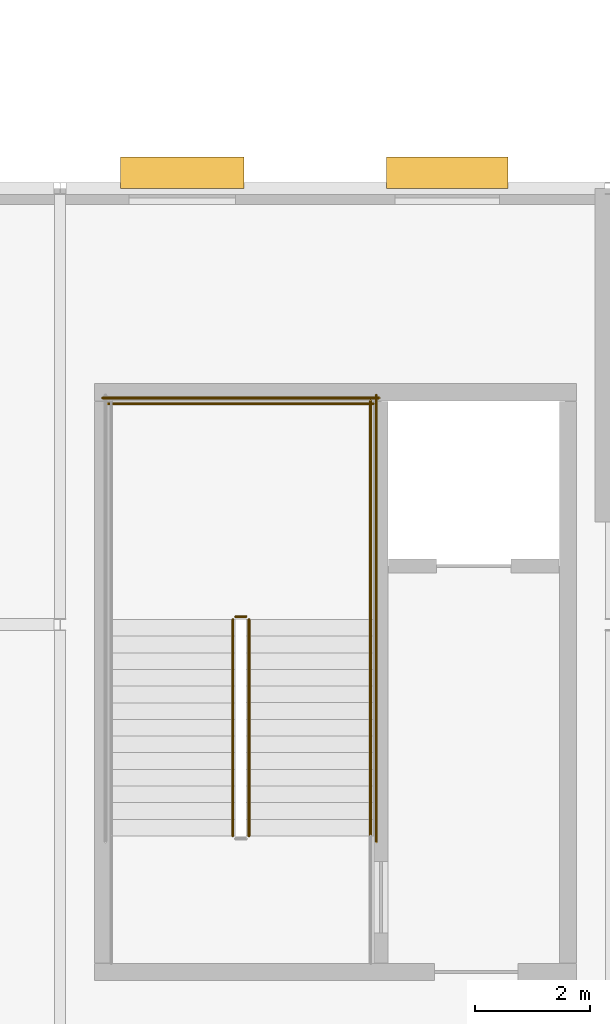
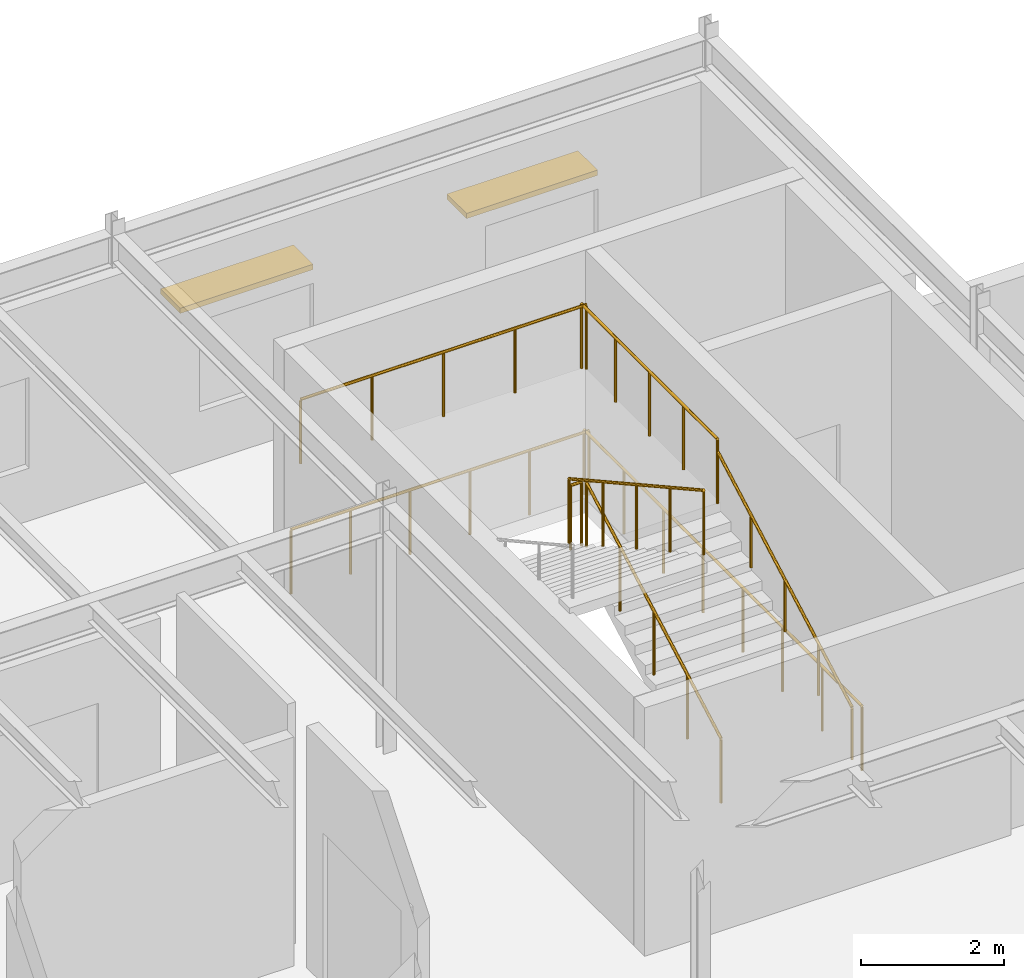
# One storey, part 49 of 50: 8 railings, 2 shading devices.
"""IFC4 building model written with IfcOpenShell, lengths in metres."""

from ifc_helpers import new_model, si_unit, direction, frame, origin, origin_2d, place, context, subcontext, project, spatial, rectangle, circle, extrude, material, layer, layer_set, type_object, element, save


model = new_model("IFC4")

# Units and contexts
model_context = context("Model", 3, precision=1e-05, world=origin(), true_north=direction((0.0, 1.0)))
body_context = subcontext(model_context, "Body", "Model", "MODEL_VIEW")
ifc_project = project(units=[si_unit("LENGTHUNIT", "METRE"), si_unit("AREAUNIT", "SQUARE_METRE"), si_unit("VOLUMEUNIT", "CUBIC_METRE"), si_unit("PLANEANGLEUNIT", "RADIAN"), si_unit("MASSUNIT", "GRAM", prefix="KILO")], contexts=[model_context])

# Site, building, storey
site_placement = place(None, origin())
site = spatial("IfcSite", under=ifc_project, at=site_placement, CompositionType="ELEMENT")
building_placement = place(site_placement, origin())
building = spatial("IfcBuilding", under=site, at=building_placement, Name="Sarnbrook Museum", CompositionType="ELEMENT")
storey_placement = place(building_placement, frame((0.0, 0.0, 28.10009765625)))
storey = spatial("IfcBuildingStorey", under=building, at=storey_placement, Name="L05", CompositionType="ELEMENT", Elevation=28.10009765625)

# Shading devices
ifc_material_1 = material(Name="Patinated Architectural Bronze")
shading_device_type = type_object("IfcShadingDeviceType", Name="BriseSoleil_Horizontal", PredefinedType="SHUTTER", material=ifc_material_1)
shading_device_1_placement = place(storey_placement, frame((116.343994140625, 108.669921875, 2.46484375), z_axis=(0.0, 0.0, 1.0), x_axis=(1.0, 0.0, 0.0)))
element("IfcShadingDevice", 1, at=shading_device_1_placement, inside=storey, type_object=shading_device_type, Name="Horizontal Bronze Brise-Soleil BS-037", PredefinedType="SHUTTER", context=body_context, shape_type="SweptSolid", body=[
    extrude(rectangle(XDim=2.1201171875, YDim=0.550048828125, at=origin_2d()), origin(), (0.0, 0.0, 1.0), 0.090087890625),
])
shading_device_2_placement = place(storey_placement, frame((111.72900390625, 108.669921875, 2.46484375), z_axis=(0.0, 0.0, 1.0), x_axis=(1.0, 0.0, 0.0)))
element("IfcShadingDevice", 2, at=shading_device_2_placement, inside=storey, type_object=shading_device_type, Name="Horizontal Bronze Brise-Soleil BS-038", PredefinedType="SHUTTER", context=body_context, shape_type="SweptSolid", body=[
    extrude(rectangle(XDim=2.14990234375, YDim=0.550048828125, at=origin_2d()), origin(), (0.0, 0.0, 1.0), 0.090087890625),
])

# Railings
ifc_material_2 = material(Name="Brushed Stainless Steel Grade 316", Category="steel")
ifc_layer_1 = layer(ifc_material_2, 0.050048828125)
ifc_layer_set_1 = layer_set([ifc_layer_1], Name="Brushed Stainless Steel Grade 316")
railing_type_1 = type_object("IfcRailingType", Name="Guard_Int1120", PredefinedType="BALUSTRADE", material=ifc_layer_set_1)
railing_1_placement = place(storey_placement, frame((112.889892578125, 97.1201171875, 0.16064453125)))
element("IfcRailing", 3, at=railing_1_placement, inside=storey, type_object=railing_type_1, Name="L05 ST2 stair guard 1", PredefinedType="BALUSTRADE", context=body_context, shape_type="SweptSolid", body=[
    extrude(circle(Radius=0.02392578125, at=origin_2d()), frame((0.0, 0.0, 1.09619140625), z_axis=(0.0, 0.874645791573, 0.484762559697), x_axis=(-1.0, 0.0, 0.0)), (0.0, 0.0, 1.0), 4.31005859375),
    extrude(circle(Radius=0.02099609375, at=origin_2d()), origin(), (0.0, 0.0, 1.0), 1.072021484375),
    extrude(circle(Radius=0.02099609375, at=origin_2d()), frame((0.0, 0.9423828125, 0.5224609375)), (0.0, 0.0, 1.0), 1.072021484375),
    extrude(circle(Radius=0.02099609375, at=origin_2d()), frame((0.0, 1.884765625, 1.044677734375)), (0.0, 0.0, 1.0), 1.072021484375),
    extrude(circle(Radius=0.02099609375, at=origin_2d()), frame((0.0, 2.827392578125, 1.56689453125)), (0.0, 0.0, 1.0), 1.072021484375),
    extrude(circle(Radius=0.02099609375, at=origin_2d()), frame((0.0, 3.769775390625, 2.08935546875)), (0.0, 0.0, 1.0), 1.072021484375),
])
railing_2_placement = place(storey_placement, frame((112.840087890625, 100.93994140625, 2.25)))
element("IfcRailing", 4, at=railing_2_placement, inside=storey, type_object=railing_type_1, Name="L05 ST2 stair guard 2", PredefinedType="BALUSTRADE", context=body_context, shape_type="SweptSolid", body=[
    extrude(circle(Radius=0.02392578125, at=origin_2d()), frame((0.0, 0.0, 1.09619140625), z_axis=(-1.0, 0.0, 0.0), x_axis=(0.0, -1.0, 0.0)), (0.0, 0.0, 1.0), 0.18017578125),
    extrude(circle(Radius=0.02099609375, at=origin_2d()), origin(), (0.0, 0.0, 1.0), 1.072021484375),
    extrude(circle(Radius=0.02099609375, at=origin_2d()), frame((-0.18017578125, 0.0, 0.0)), (0.0, 0.0, 1.0), 1.072021484375),
])
railing_3_placement = place(storey_placement, frame((115.010009765625, 100.889892578125, 2.25)))
element("IfcRailing", 5, at=railing_3_placement, inside=storey, type_object=railing_type_1, Name="L05 ST2 stair guard 3", PredefinedType="BALUSTRADE", context=body_context, shape_type="SweptSolid", body=[
    extrude(circle(Radius=0.02392578125, at=origin_2d()), frame((0.0, 0.0, 1.09619140625), z_axis=(0.0, 1.0, 0.0), x_axis=(-1.0, 0.0, 0.0)), (0.0, 0.0, 1.0), 3.81005859375),
    extrude(circle(Radius=0.02099609375, at=origin_2d()), origin(), (0.0, 0.0, 1.0), 1.072021484375),
    extrude(circle(Radius=0.02099609375, at=origin_2d()), frame((0.0, 0.95263671875, 0.0)), (0.0, 0.0, 1.0), 1.072021484375),
    extrude(circle(Radius=0.02099609375, at=origin_2d()), frame((0.0, 1.905029296875, 0.0)), (0.0, 0.0, 1.0), 1.072021484375),
    extrude(circle(Radius=0.02099609375, at=origin_2d()), frame((0.0, 2.857421875, 0.0)), (0.0, 0.0, 1.0), 1.072021484375),
    extrude(circle(Radius=0.02099609375, at=origin_2d()), frame((0.0, 3.81005859375, 0.0)), (0.0, 0.0, 1.0), 1.072021484375),
])
railing_4_placement = place(storey_placement, frame((115.06005859375, 104.64990234375, 2.25)))
element("IfcRailing", 6, at=railing_4_placement, inside=storey, type_object=railing_type_1, Name="L05 ST2 stair guard 5", PredefinedType="BALUSTRADE", context=body_context, shape_type="SweptSolid", body=[
    extrude(circle(Radius=0.02392578125, at=origin_2d()), frame((0.0, 0.0, 1.09619140625), z_axis=(-1.0, 0.0, 0.0), x_axis=(0.0, -1.0, 0.0)), (0.0, 0.0, 1.0), 4.6201171875),
    extrude(circle(Radius=0.02099609375, at=origin_2d()), origin(), (0.0, 0.0, 1.0), 1.072021484375),
    extrude(circle(Radius=0.02099609375, at=origin_2d()), frame((-1.155029296875, 0.0, 0.0)), (0.0, 0.0, 1.0), 1.072021484375),
    extrude(circle(Radius=0.02099609375, at=origin_2d()), frame((-2.31005859375, 0.0, 0.0)), (0.0, 0.0, 1.0), 1.072021484375),
    extrude(circle(Radius=0.02099609375, at=origin_2d()), frame((-3.465087890625, 0.0, 0.0)), (0.0, 0.0, 1.0), 1.072021484375),
    extrude(circle(Radius=0.02099609375, at=origin_2d()), frame((-4.6201171875, 0.0, 0.0)), (0.0, 0.0, 1.0), 1.072021484375),
])
railing_5_placement = place(storey_placement, frame((112.610107421875, 100.889892578125, 2.41064453125)))
element("IfcRailing", 7, at=railing_5_placement, inside=storey, type_object=railing_type_1, Name="L05 ST2 stair guard 6", PredefinedType="BALUSTRADE", context=body_context, shape_type="SweptSolid", body=[
    extrude(circle(Radius=0.02392578125, at=origin_2d()), frame((0.0, 0.0, 1.09619140625), z_axis=(0.0, -0.874645791573, 0.484762559697), x_axis=(1.0, 0.0, 0.0)), (0.0, 0.0, 1.0), 4.31005859375),
    extrude(circle(Radius=0.02099609375, at=origin_2d()), origin(), (0.0, 0.0, 1.0), 1.072021484375),
    extrude(circle(Radius=0.02099609375, at=origin_2d()), frame((0.0, -0.9423828125, 0.5224609375)), (0.0, 0.0, 1.0), 1.072021484375),
    extrude(circle(Radius=0.02099609375, at=origin_2d()), frame((0.0, -1.884765625, 1.044677734375)), (0.0, 0.0, 1.0), 1.072021484375),
    extrude(circle(Radius=0.02099609375, at=origin_2d()), frame((0.0, -2.827392578125, 1.56689453125)), (0.0, 0.0, 1.0), 1.072021484375),
    extrude(circle(Radius=0.02099609375, at=origin_2d()), frame((0.0, -3.769775390625, 2.08935546875)), (0.0, 0.0, 1.0), 1.072021484375),
])
railing_6_placement = place(storey_placement, frame((115.110107421875, 97.02001953125, 0.0)))
element("IfcRailing", 8, at=railing_6_placement, inside=storey, type_object=railing_type_1, Name="L05 ST2 stair guard 10", PredefinedType="BALUSTRADE", context=body_context, shape_type="SweptSolid", body=[
    extrude(circle(Radius=0.02392578125, at=origin_2d()), frame((0.0, 0.0, 1.09619140625), z_axis=(0.0, 1.0, 0.0), x_axis=(-1.0, 0.0, 0.0)), (0.0, 0.0, 1.0), 7.780029296875),
    extrude(circle(Radius=0.02099609375, at=origin_2d()), origin(), (0.0, 0.0, 1.0), 1.072021484375),
    extrude(circle(Radius=0.02099609375, at=origin_2d()), frame((0.0, 1.111328125, 0.0)), (0.0, 0.0, 1.0), 1.072021484375),
    extrude(circle(Radius=0.02099609375, at=origin_2d()), frame((0.0, 2.222900390625, 0.0)), (0.0, 0.0, 1.0), 1.072021484375),
    extrude(circle(Radius=0.02099609375, at=origin_2d()), frame((0.0, 3.334228515625, 0.0)), (0.0, 0.0, 1.0), 1.072021484375),
    extrude(circle(Radius=0.02099609375, at=origin_2d()), frame((0.0, 4.44580078125, 0.0)), (0.0, 0.0, 1.0), 1.072021484375),
    extrude(circle(Radius=0.02099609375, at=origin_2d()), frame((0.0, 5.55712890625, 0.0)), (0.0, 0.0, 1.0), 1.072021484375),
    extrude(circle(Radius=0.02099609375, at=origin_2d()), frame((0.0, 6.668701171875, 0.0)), (0.0, 0.0, 1.0), 1.072021484375),
    extrude(circle(Radius=0.02099609375, at=origin_2d()), frame((0.0, 7.780029296875, 0.0)), (0.0, 0.0, 1.0), 1.072021484375),
])
railing_7_placement = place(storey_placement, frame((115.159912109375, 104.75, 0.0)))
element("IfcRailing", 9, at=railing_7_placement, inside=storey, type_object=railing_type_1, Name="L05 ST2 stair guard 12", PredefinedType="BALUSTRADE", context=body_context, shape_type="SweptSolid", body=[
    extrude(circle(Radius=0.02392578125, at=origin_2d()), frame((0.0, 0.0, 1.09619140625), z_axis=(-1.0, 0.0, 0.0), x_axis=(0.0, -1.0, 0.0)), (0.0, 0.0, 1.0), 4.81982421875),
    extrude(circle(Radius=0.02099609375, at=origin_2d()), origin(), (0.0, 0.0, 1.0), 1.072021484375),
    extrude(circle(Radius=0.02099609375, at=origin_2d()), frame((-0.9638671875, 0.0, 0.0)), (0.0, 0.0, 1.0), 1.072021484375),
    extrude(circle(Radius=0.02099609375, at=origin_2d()), frame((-1.927978515625, 0.0, 0.0)), (0.0, 0.0, 1.0), 1.072021484375),
    extrude(circle(Radius=0.02099609375, at=origin_2d()), frame((-2.891845703125, 0.0, 0.0)), (0.0, 0.0, 1.0), 1.072021484375),
    extrude(circle(Radius=0.02099609375, at=origin_2d()), frame((-3.85595703125, 0.0, 0.0)), (0.0, 0.0, 1.0), 1.072021484375),
    extrude(circle(Radius=0.02099609375, at=origin_2d()), frame((-4.81982421875, 0.0, 0.0)), (0.0, 0.0, 1.0), 1.072021484375),
])
ifc_layer_2 = layer(ifc_material_2, 0.048095703125)
ifc_layer_set_2 = layer_set([ifc_layer_2], Name="Brushed Stainless Steel Grade 316")
railing_type_2 = type_object("IfcRailingType", Name="Handrail_920", PredefinedType="HANDRAIL", material=ifc_layer_set_2)
railing_8_placement = place(storey_placement, frame((115.010009765625, 97.1201171875, 0.16064453125)))
element("IfcRailing", 10, at=railing_8_placement, inside=storey, type_object=railing_type_2, Name="L05 ST2 stair handrail 1", PredefinedType="HANDRAIL", context=body_context, shape_type="SweptSolid", body=[
    extrude(circle(Radius=0.02392578125, at=origin_2d()), frame((0.0, 0.0, 0.8857421875), z_axis=(0.0, 0.874645791573, 0.484762559697), x_axis=(-1.0, 0.0, 0.0)), (0.0, 0.0, 1.0), 4.31005859375),
    extrude(circle(Radius=0.02099609375, at=origin_2d()), origin(), (0.0, 0.0, 1.0), 0.86181640625),
    extrude(circle(Radius=0.02099609375, at=origin_2d()), frame((0.0, 0.9423828125, 0.5224609375)), (0.0, 0.0, 1.0), 0.86181640625),
    extrude(circle(Radius=0.02099609375, at=origin_2d()), frame((0.0, 1.884765625, 1.044677734375)), (0.0, 0.0, 1.0), 0.86181640625),
    extrude(circle(Radius=0.02099609375, at=origin_2d()), frame((0.0, 2.827392578125, 1.56689453125)), (0.0, 0.0, 1.0), 0.86181640625),
    extrude(circle(Radius=0.02099609375, at=origin_2d()), frame((0.0, 3.769775390625, 2.08935546875)), (0.0, 0.0, 1.0), 0.86181640625),
])

save(model, "model.ifc")
